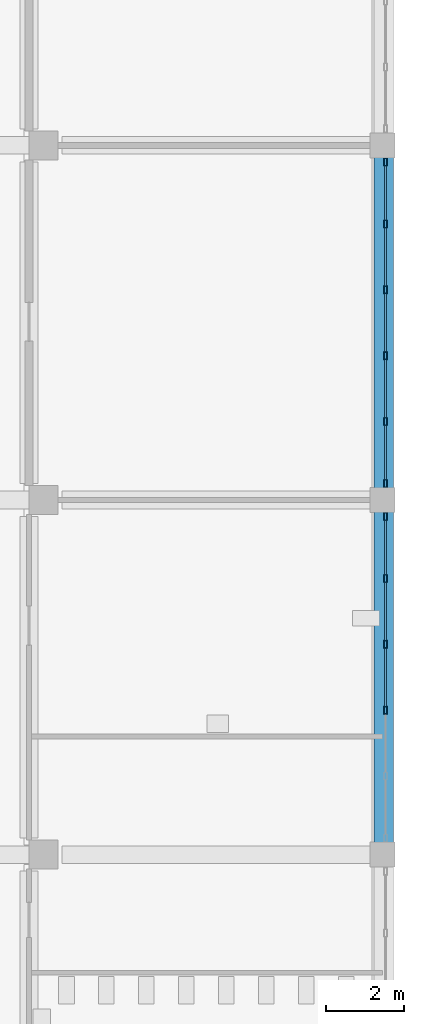
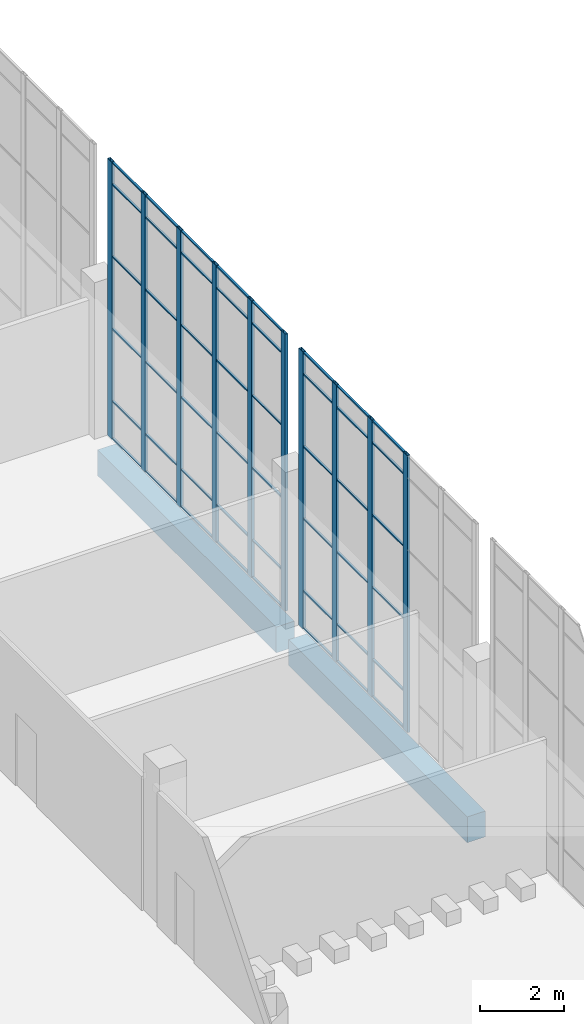
# One storey, part 54 of 126: 58 members, 2 beams, 2 elements without a shape of their own.
"""IFC4 building model written with IfcOpenShell, lengths in metres."""

from ifc_helpers import new_model, si_unit, direction, frame, origin, origin_2d, place, context, subcontext, project, spatial, rectangle, hollow_rectangle, extrude, material, layer, layer_set, material_profile, profile_set, type_object, element, aggregate, save


model = new_model("IFC4")

# Units and contexts
model_context = context("Model", 3, precision=1e-05, world=origin(), true_north=direction((0.0, 1.0)))
body_context = subcontext(model_context, "Body", "Model", "MODEL_VIEW")
ifc_project = project(units=[si_unit("LENGTHUNIT", "METRE"), si_unit("AREAUNIT", "SQUARE_METRE"), si_unit("VOLUMEUNIT", "CUBIC_METRE"), si_unit("PLANEANGLEUNIT", "RADIAN"), si_unit("MASSUNIT", "GRAM", prefix="KILO")], contexts=[model_context])

# Site, building, storey
site_placement = place(None, origin())
site = spatial("IfcSite", under=ifc_project, at=site_placement, CompositionType="ELEMENT")
building_placement = place(site_placement, origin())
building = spatial("IfcBuilding", under=site, at=building_placement, Name="Shirokan Park Arena", CompositionType="ELEMENT")
storey_placement = place(building_placement, frame((0.0, 0.0, 6.3701171875)))
storey = spatial("IfcBuildingStorey", under=building, at=storey_placement, Name="L01", CompositionType="ELEMENT", Elevation=6.3701171875)

# Curtain wall, members
ifc_material_1 = material(Name="Steel and glass curtain wall", Category="steel")
ifc_layer = layer(ifc_material_1, 0.199951171875)
ifc_layer_set = layer_set([ifc_layer], Name="Steel and glass curtain wall 200 mm")
curtain_wall_type = type_object("IfcCurtainWallType", Name="Curtain wall hall bay 200", PredefinedType="NOTDEFINED", material=ifc_layer_set)
curtain_wall_1_placement = place(storey_placement, origin())
curtain_wall_1 = element("IfcCurtainWall", 1, at=curtain_wall_1_placement, inside=storey, type_object=curtain_wall_type, Name="Curtain wall east bay 6 L01", PredefinedType="NOTDEFINED")
ifc_material_2 = material(Name="Steel S355", Category="steel")
ifc_material_profile_1 = material_profile(ifc_material_2, hollow_rectangle(XDim=0.080078125, YDim=0.199951171875, WallThickness=0.008056640625, at=origin_2d()), Name="RHS 200x80x8")
ifc_profile_set_1 = profile_set([ifc_material_profile_1], Name="Steel S355")
member_type_1 = type_object("IfcMemberType", Name="Mullion RHS 200x80x8", PredefinedType="MULLION", material=ifc_profile_set_1)
member_1_placement = place(storey_placement, frame((145.64990234375, 49.205078125, 0.0), z_axis=(0.0, 0.0, 1.0), x_axis=(-1.0, 0.0, 0.0)))
member_1 = element("IfcMember", 2, at=member_1_placement, type_object=member_type_1, Name="CW5 mullion 3", PredefinedType="MULLION", context=body_context, shape_type="SweptSolid", body=[
    extrude(hollow_rectangle(XDim=0.080078125, YDim=0.199951171875, WallThickness=0.008056640625, at=origin_2d()), origin(), (0.0, 0.0, 1.0), 8.0498046875),
])
member_2_placement = place(storey_placement, frame((145.64990234375, 50.89501953125, 0.0), z_axis=(0.0, 0.0, 1.0), x_axis=(-1.0, 0.0, 0.0)))
member_2 = element("IfcMember", 3, at=member_2_placement, type_object=member_type_1, Name="CW5 mullion 4", PredefinedType="MULLION", context=body_context, shape_type="SweptSolid", body=[
    extrude(hollow_rectangle(XDim=0.080078125, YDim=0.199951171875, WallThickness=0.008056640625, at=origin_2d()), origin(), (0.0, 0.0, 1.0), 8.0498046875),
])
member_3_placement = place(storey_placement, frame((145.64990234375, 52.5849609375, 0.0), z_axis=(0.0, 0.0, 1.0), x_axis=(-1.0, 0.0, 0.0)))
member_3 = element("IfcMember", 4, at=member_3_placement, type_object=member_type_1, Name="CW5 mullion 5", PredefinedType="MULLION", context=body_context, shape_type="SweptSolid", body=[
    extrude(hollow_rectangle(XDim=0.080078125, YDim=0.199951171875, WallThickness=0.008056640625, at=origin_2d()), origin(), (0.0, 0.0, 1.0), 8.0498046875),
])
member_4_placement = place(storey_placement, frame((145.64990234375, 54.175048828125, 0.0), z_axis=(0.0, 0.0, 1.0), x_axis=(-1.0, 0.0, 0.0)))
member_4 = element("IfcMember", 5, at=member_4_placement, type_object=member_type_1, Name="CW5 mullion 6", PredefinedType="MULLION", context=body_context, shape_type="SweptSolid", body=[
    extrude(hollow_rectangle(XDim=0.080078125, YDim=0.199951171875, WallThickness=0.008056640625, at=origin_2d()), origin(), (0.0, 0.0, 1.0), 8.0498046875),
])

curtain_wall_2_placement = place(storey_placement, origin())
curtain_wall_2 = element("IfcCurtainWall", 6, at=curtain_wall_2_placement, inside=storey, type_object=curtain_wall_type, Name="Curtain wall east bay 7 L01", PredefinedType="NOTDEFINED")
member_5_placement = place(storey_placement, frame((145.64990234375, 55.02490234375, 0.0), z_axis=(0.0, 0.0, 1.0), x_axis=(-1.0, 0.0, 0.0)))
member_5 = element("IfcMember", 7, at=member_5_placement, type_object=member_type_1, Name="CW5 mullion 1", PredefinedType="MULLION", context=body_context, shape_type="SweptSolid", body=[
    extrude(hollow_rectangle(XDim=0.080078125, YDim=0.199951171875, WallThickness=0.008056640625, at=origin_2d()), origin(), (0.0, 0.0, 1.0), 8.0498046875),
])
member_6_placement = place(storey_placement, frame((145.64990234375, 56.614990234375, 0.0), z_axis=(0.0, 0.0, 1.0), x_axis=(-1.0, 0.0, 0.0)))
member_6 = element("IfcMember", 8, at=member_6_placement, type_object=member_type_1, Name="CW5 mullion 2", PredefinedType="MULLION", context=body_context, shape_type="SweptSolid", body=[
    extrude(hollow_rectangle(XDim=0.080078125, YDim=0.199951171875, WallThickness=0.008056640625, at=origin_2d()), origin(), (0.0, 0.0, 1.0), 8.0498046875),
])
member_7_placement = place(storey_placement, frame((145.64990234375, 58.304931640625, 0.0), z_axis=(0.0, 0.0, 1.0), x_axis=(-1.0, 0.0, 0.0)))
member_7 = element("IfcMember", 9, at=member_7_placement, type_object=member_type_1, Name="CW5 mullion 3", PredefinedType="MULLION", context=body_context, shape_type="SweptSolid", body=[
    extrude(hollow_rectangle(XDim=0.080078125, YDim=0.199951171875, WallThickness=0.008056640625, at=origin_2d()), origin(), (0.0, 0.0, 1.0), 8.0498046875),
])
member_8_placement = place(storey_placement, frame((145.64990234375, 59.9951171875, 0.0), z_axis=(0.0, 0.0, 1.0), x_axis=(-1.0, 0.0, 0.0)))
member_8 = element("IfcMember", 10, at=member_8_placement, type_object=member_type_1, Name="CW5 mullion 4", PredefinedType="MULLION", context=body_context, shape_type="SweptSolid", body=[
    extrude(hollow_rectangle(XDim=0.080078125, YDim=0.199951171875, WallThickness=0.008056640625, at=origin_2d()), origin(), (0.0, 0.0, 1.0), 8.0498046875),
])
member_9_placement = place(storey_placement, frame((145.64990234375, 61.68505859375, 0.0), z_axis=(0.0, 0.0, 1.0), x_axis=(-1.0, 0.0, 0.0)))
member_9 = element("IfcMember", 11, at=member_9_placement, type_object=member_type_1, Name="CW5 mullion 5", PredefinedType="MULLION", context=body_context, shape_type="SweptSolid", body=[
    extrude(hollow_rectangle(XDim=0.080078125, YDim=0.199951171875, WallThickness=0.008056640625, at=origin_2d()), origin(), (0.0, 0.0, 1.0), 8.0498046875),
])
member_10_placement = place(storey_placement, frame((145.64990234375, 63.27490234375, 0.0), z_axis=(0.0, 0.0, 1.0), x_axis=(-1.0, 0.0, 0.0)))
member_10 = element("IfcMember", 12, at=member_10_placement, type_object=member_type_1, Name="CW5 mullion 6", PredefinedType="MULLION", context=body_context, shape_type="SweptSolid", body=[
    extrude(hollow_rectangle(XDim=0.080078125, YDim=0.199951171875, WallThickness=0.008056640625, at=origin_2d()), origin(), (0.0, 0.0, 1.0), 8.0498046875),
])

# Beams
ifc_material_3 = material(Name="Concrete C35", Category="concrete")
ifc_material_profile_2 = material_profile(ifc_material_3, rectangle(XDim=0.5, YDim=0.75, at=origin_2d()), Name="500x750")
ifc_profile_set_2 = profile_set([ifc_material_profile_2], Name="Concrete C35")
beam_type = type_object("IfcBeamType", Name="RC girder 500x750", PredefinedType="BEAM", material=ifc_profile_set_2)
for number, where, z_axis, x_axis, name in (
    (13, (145.60009765625, 45.800048828125, -0.72509765625), (0.0, 1.0, 0.0), (-1.0, 0.0, 0.0), "Girder 17F-17G L01"),
    (14, (145.60009765625, 54.900146484375, -0.72509765625), (0.0, 1.0, 0.0), (-1.0, 0.0, 0.0), "Girder 17G-17H L01"),
):
    element("IfcBeam", number, at=place(storey_placement, frame(where, z_axis=z_axis, x_axis=x_axis)), inside=storey, type_object=beam_type, Name=name, PredefinedType="BEAM", context=body_context, shape_type="SweptSolid", body=[
        extrude(rectangle(XDim=0.5, YDim=0.75, at=origin_2d()), origin(), (0.0, 0.0, 1.0), 8.499755859375),
    ])

# Member
ifc_material_profile_3 = material_profile(ifc_material_2, hollow_rectangle(XDim=0.06005859375, YDim=0.0400390625, WallThickness=0.00390625, at=origin_2d()), Name="RHS 60x40x4")
ifc_profile_set_3 = profile_set([ifc_material_profile_3], Name="Steel S355")
member_type_2 = type_object("IfcMemberType", Name="Transom RHS 60x40x4", PredefinedType="MULLION", material=ifc_profile_set_3)
member_11_placement = place(storey_placement, frame((145.64990234375, 49.304931640625, 0.019775390625), z_axis=(0.0, 1.0, 0.0), x_axis=(-1.0, 0.0, 0.0)))
member_11 = element("IfcMember", 15, at=member_11_placement, type_object=member_type_2, Name="CW5 transom 3.1", PredefinedType="MULLION", context=body_context, shape_type="SweptSolid", body=[
    extrude(hollow_rectangle(XDim=0.06005859375, YDim=0.0400390625, WallThickness=0.00390625, at=origin_2d()), origin(), (0.0, 0.0, 1.0), 1.489990234375),
])

member_12_placement = place(storey_placement, frame((145.64990234375, 49.304931640625, 1.099853515625), z_axis=(0.0, 1.0, 0.0), x_axis=(-1.0, 0.0, 0.0)))
member_12 = element("IfcMember", 16, at=member_12_placement, type_object=member_type_2, Name="CW5 transom 3.2", PredefinedType="MULLION", context=body_context, shape_type="SweptSolid", body=[
    extrude(hollow_rectangle(XDim=0.06005859375, YDim=0.0400390625, WallThickness=0.00390625, at=origin_2d()), origin(), (0.0, 0.0, 1.0), 1.489990234375),
])

member_13_placement = place(storey_placement, frame((145.64990234375, 49.304931640625, 3.199951171875), z_axis=(0.0, 1.0, 0.0), x_axis=(-1.0, 0.0, 0.0)))
member_13 = element("IfcMember", 17, at=member_13_placement, type_object=member_type_2, Name="CW5 transom 3.3", PredefinedType="MULLION", context=body_context, shape_type="SweptSolid", body=[
    extrude(hollow_rectangle(XDim=0.06005859375, YDim=0.0400390625, WallThickness=0.00390625, at=origin_2d()), origin(), (0.0, 0.0, 1.0), 1.489990234375),
])

member_14_placement = place(storey_placement, frame((145.64990234375, 49.304931640625, 5.2998046875), z_axis=(0.0, 1.0, 0.0), x_axis=(-1.0, 0.0, 0.0)))
member_14 = element("IfcMember", 18, at=member_14_placement, type_object=member_type_2, Name="CW5 transom 3.4", PredefinedType="MULLION", context=body_context, shape_type="SweptSolid", body=[
    extrude(hollow_rectangle(XDim=0.06005859375, YDim=0.0400390625, WallThickness=0.00390625, at=origin_2d()), origin(), (0.0, 0.0, 1.0), 1.489990234375),
])

member_15_placement = place(storey_placement, frame((145.64990234375, 49.304931640625, 7.39990234375), z_axis=(0.0, 1.0, 0.0), x_axis=(-1.0, 0.0, 0.0)))
member_15 = element("IfcMember", 19, at=member_15_placement, type_object=member_type_2, Name="CW5 transom 3.5", PredefinedType="MULLION", context=body_context, shape_type="SweptSolid", body=[
    extrude(hollow_rectangle(XDim=0.06005859375, YDim=0.0400390625, WallThickness=0.00390625, at=origin_2d()), origin(), (0.0, 0.0, 1.0), 1.489990234375),
])

member_16_placement = place(storey_placement, frame((145.64990234375, 49.304931640625, 8.02978515625), z_axis=(0.0, 1.0, 0.0), x_axis=(-1.0, 0.0, 0.0)))
member_16 = element("IfcMember", 20, at=member_16_placement, type_object=member_type_2, Name="CW5 transom 3.6", PredefinedType="MULLION", context=body_context, shape_type="SweptSolid", body=[
    extrude(hollow_rectangle(XDim=0.06005859375, YDim=0.0400390625, WallThickness=0.00390625, at=origin_2d()), origin(), (0.0, 0.0, 1.0), 1.489990234375),
])

member_17_placement = place(storey_placement, frame((145.64990234375, 50.9951171875, 0.019775390625), z_axis=(0.0, 1.0, 0.0), x_axis=(-1.0, 0.0, 0.0)))
member_17 = element("IfcMember", 21, at=member_17_placement, type_object=member_type_2, Name="CW5 transom 4.1", PredefinedType="MULLION", context=body_context, shape_type="SweptSolid", body=[
    extrude(hollow_rectangle(XDim=0.06005859375, YDim=0.0400390625, WallThickness=0.00390625, at=origin_2d()), origin(), (0.0, 0.0, 1.0), 1.489990234375),
])

member_18_placement = place(storey_placement, frame((145.64990234375, 50.9951171875, 1.099853515625), z_axis=(0.0, 1.0, 0.0), x_axis=(-1.0, 0.0, 0.0)))
member_18 = element("IfcMember", 22, at=member_18_placement, type_object=member_type_2, Name="CW5 transom 4.2", PredefinedType="MULLION", context=body_context, shape_type="SweptSolid", body=[
    extrude(hollow_rectangle(XDim=0.06005859375, YDim=0.0400390625, WallThickness=0.00390625, at=origin_2d()), origin(), (0.0, 0.0, 1.0), 1.489990234375),
])

member_19_placement = place(storey_placement, frame((145.64990234375, 50.9951171875, 3.199951171875), z_axis=(0.0, 1.0, 0.0), x_axis=(-1.0, 0.0, 0.0)))
member_19 = element("IfcMember", 23, at=member_19_placement, type_object=member_type_2, Name="CW5 transom 4.3", PredefinedType="MULLION", context=body_context, shape_type="SweptSolid", body=[
    extrude(hollow_rectangle(XDim=0.06005859375, YDim=0.0400390625, WallThickness=0.00390625, at=origin_2d()), origin(), (0.0, 0.0, 1.0), 1.489990234375),
])

member_20_placement = place(storey_placement, frame((145.64990234375, 50.9951171875, 5.2998046875), z_axis=(0.0, 1.0, 0.0), x_axis=(-1.0, 0.0, 0.0)))
member_20 = element("IfcMember", 24, at=member_20_placement, type_object=member_type_2, Name="CW5 transom 4.4", PredefinedType="MULLION", context=body_context, shape_type="SweptSolid", body=[
    extrude(hollow_rectangle(XDim=0.06005859375, YDim=0.0400390625, WallThickness=0.00390625, at=origin_2d()), origin(), (0.0, 0.0, 1.0), 1.489990234375),
])

member_21_placement = place(storey_placement, frame((145.64990234375, 50.9951171875, 7.39990234375), z_axis=(0.0, 1.0, 0.0), x_axis=(-1.0, 0.0, 0.0)))
member_21 = element("IfcMember", 25, at=member_21_placement, type_object=member_type_2, Name="CW5 transom 4.5", PredefinedType="MULLION", context=body_context, shape_type="SweptSolid", body=[
    extrude(hollow_rectangle(XDim=0.06005859375, YDim=0.0400390625, WallThickness=0.00390625, at=origin_2d()), origin(), (0.0, 0.0, 1.0), 1.489990234375),
])

member_22_placement = place(storey_placement, frame((145.64990234375, 50.9951171875, 8.02978515625), z_axis=(0.0, 1.0, 0.0), x_axis=(-1.0, 0.0, 0.0)))
member_22 = element("IfcMember", 26, at=member_22_placement, type_object=member_type_2, Name="CW5 transom 4.6", PredefinedType="MULLION", context=body_context, shape_type="SweptSolid", body=[
    extrude(hollow_rectangle(XDim=0.06005859375, YDim=0.0400390625, WallThickness=0.00390625, at=origin_2d()), origin(), (0.0, 0.0, 1.0), 1.489990234375),
])

member_23_placement = place(storey_placement, frame((145.64990234375, 52.68505859375, 0.019775390625), z_axis=(0.0, 1.0, 0.0), x_axis=(-1.0, 0.0, 0.0)))
member_23 = element("IfcMember", 27, at=member_23_placement, type_object=member_type_2, Name="CW5 transom 5.1", PredefinedType="MULLION", context=body_context, shape_type="SweptSolid", body=[
    extrude(hollow_rectangle(XDim=0.06005859375, YDim=0.0400390625, WallThickness=0.00390625, at=origin_2d()), origin(), (0.0, 0.0, 1.0), 1.389892578125),
])

member_24_placement = place(storey_placement, frame((145.64990234375, 52.68505859375, 1.099853515625), z_axis=(0.0, 1.0, 0.0), x_axis=(-1.0, 0.0, 0.0)))
member_24 = element("IfcMember", 28, at=member_24_placement, type_object=member_type_2, Name="CW5 transom 5.2", PredefinedType="MULLION", context=body_context, shape_type="SweptSolid", body=[
    extrude(hollow_rectangle(XDim=0.06005859375, YDim=0.0400390625, WallThickness=0.00390625, at=origin_2d()), origin(), (0.0, 0.0, 1.0), 1.389892578125),
])

member_25_placement = place(storey_placement, frame((145.64990234375, 52.68505859375, 3.199951171875), z_axis=(0.0, 1.0, 0.0), x_axis=(-1.0, 0.0, 0.0)))
member_25 = element("IfcMember", 29, at=member_25_placement, type_object=member_type_2, Name="CW5 transom 5.3", PredefinedType="MULLION", context=body_context, shape_type="SweptSolid", body=[
    extrude(hollow_rectangle(XDim=0.06005859375, YDim=0.0400390625, WallThickness=0.00390625, at=origin_2d()), origin(), (0.0, 0.0, 1.0), 1.389892578125),
])

member_26_placement = place(storey_placement, frame((145.64990234375, 52.68505859375, 5.2998046875), z_axis=(0.0, 1.0, 0.0), x_axis=(-1.0, 0.0, 0.0)))
member_26 = element("IfcMember", 30, at=member_26_placement, type_object=member_type_2, Name="CW5 transom 5.4", PredefinedType="MULLION", context=body_context, shape_type="SweptSolid", body=[
    extrude(hollow_rectangle(XDim=0.06005859375, YDim=0.0400390625, WallThickness=0.00390625, at=origin_2d()), origin(), (0.0, 0.0, 1.0), 1.389892578125),
])

member_27_placement = place(storey_placement, frame((145.64990234375, 52.68505859375, 7.39990234375), z_axis=(0.0, 1.0, 0.0), x_axis=(-1.0, 0.0, 0.0)))
member_27 = element("IfcMember", 31, at=member_27_placement, type_object=member_type_2, Name="CW5 transom 5.5", PredefinedType="MULLION", context=body_context, shape_type="SweptSolid", body=[
    extrude(hollow_rectangle(XDim=0.06005859375, YDim=0.0400390625, WallThickness=0.00390625, at=origin_2d()), origin(), (0.0, 0.0, 1.0), 1.389892578125),
])

member_28_placement = place(storey_placement, frame((145.64990234375, 52.68505859375, 8.02978515625), z_axis=(0.0, 1.0, 0.0), x_axis=(-1.0, 0.0, 0.0)))
member_28 = element("IfcMember", 32, at=member_28_placement, type_object=member_type_2, Name="CW5 transom 5.6", PredefinedType="MULLION", context=body_context, shape_type="SweptSolid", body=[
    extrude(hollow_rectangle(XDim=0.06005859375, YDim=0.0400390625, WallThickness=0.00390625, at=origin_2d()), origin(), (0.0, 0.0, 1.0), 1.389892578125),
])

aggregate(curtain_wall_1, [member_1, member_2, member_3, member_4, member_11, member_12, member_13, member_14, member_15, member_16, member_17, member_18, member_19, member_20, member_21, member_22, member_23, member_24, member_25, member_26, member_27, member_28])

member_29_placement = place(storey_placement, frame((145.64990234375, 55.125, 0.019775390625), z_axis=(0.0, 1.0, 0.0), x_axis=(-1.0, 0.0, 0.0)))
member_29 = element("IfcMember", 33, at=member_29_placement, type_object=member_type_2, Name="CW5 transom 1.1", PredefinedType="MULLION", context=body_context, shape_type="SweptSolid", body=[
    extrude(hollow_rectangle(XDim=0.06005859375, YDim=0.0400390625, WallThickness=0.00390625, at=origin_2d()), origin(), (0.0, 0.0, 1.0), 1.389892578125),
])

member_30_placement = place(storey_placement, frame((145.64990234375, 55.125, 1.099853515625), z_axis=(0.0, 1.0, 0.0), x_axis=(-1.0, 0.0, 0.0)))
member_30 = element("IfcMember", 34, at=member_30_placement, type_object=member_type_2, Name="CW5 transom 1.2", PredefinedType="MULLION", context=body_context, shape_type="SweptSolid", body=[
    extrude(hollow_rectangle(XDim=0.06005859375, YDim=0.0400390625, WallThickness=0.00390625, at=origin_2d()), origin(), (0.0, 0.0, 1.0), 1.389892578125),
])

member_31_placement = place(storey_placement, frame((145.64990234375, 55.125, 3.199951171875), z_axis=(0.0, 1.0, 0.0), x_axis=(-1.0, 0.0, 0.0)))
member_31 = element("IfcMember", 35, at=member_31_placement, type_object=member_type_2, Name="CW5 transom 1.3", PredefinedType="MULLION", context=body_context, shape_type="SweptSolid", body=[
    extrude(hollow_rectangle(XDim=0.06005859375, YDim=0.0400390625, WallThickness=0.00390625, at=origin_2d()), origin(), (0.0, 0.0, 1.0), 1.389892578125),
])

member_32_placement = place(storey_placement, frame((145.64990234375, 55.125, 5.2998046875), z_axis=(0.0, 1.0, 0.0), x_axis=(-1.0, 0.0, 0.0)))
member_32 = element("IfcMember", 36, at=member_32_placement, type_object=member_type_2, Name="CW5 transom 1.4", PredefinedType="MULLION", context=body_context, shape_type="SweptSolid", body=[
    extrude(hollow_rectangle(XDim=0.06005859375, YDim=0.0400390625, WallThickness=0.00390625, at=origin_2d()), origin(), (0.0, 0.0, 1.0), 1.389892578125),
])

member_33_placement = place(storey_placement, frame((145.64990234375, 55.125, 7.39990234375), z_axis=(0.0, 1.0, 0.0), x_axis=(-1.0, 0.0, 0.0)))
member_33 = element("IfcMember", 37, at=member_33_placement, type_object=member_type_2, Name="CW5 transom 1.5", PredefinedType="MULLION", context=body_context, shape_type="SweptSolid", body=[
    extrude(hollow_rectangle(XDim=0.06005859375, YDim=0.0400390625, WallThickness=0.00390625, at=origin_2d()), origin(), (0.0, 0.0, 1.0), 1.389892578125),
])

member_34_placement = place(storey_placement, frame((145.64990234375, 55.125, 8.02978515625), z_axis=(0.0, 1.0, 0.0), x_axis=(-1.0, 0.0, 0.0)))
member_34 = element("IfcMember", 38, at=member_34_placement, type_object=member_type_2, Name="CW5 transom 1.6", PredefinedType="MULLION", context=body_context, shape_type="SweptSolid", body=[
    extrude(hollow_rectangle(XDim=0.06005859375, YDim=0.0400390625, WallThickness=0.00390625, at=origin_2d()), origin(), (0.0, 0.0, 1.0), 1.389892578125),
])

member_35_placement = place(storey_placement, frame((145.64990234375, 56.715087890625, 0.019775390625), z_axis=(0.0, 1.0, 0.0), x_axis=(-1.0, 0.0, 0.0)))
member_35 = element("IfcMember", 39, at=member_35_placement, type_object=member_type_2, Name="CW5 transom 2.1", PredefinedType="MULLION", context=body_context, shape_type="SweptSolid", body=[
    extrude(hollow_rectangle(XDim=0.06005859375, YDim=0.0400390625, WallThickness=0.00390625, at=origin_2d()), origin(), (0.0, 0.0, 1.0), 1.489990234375),
])

member_36_placement = place(storey_placement, frame((145.64990234375, 56.715087890625, 1.099853515625), z_axis=(0.0, 1.0, 0.0), x_axis=(-1.0, 0.0, 0.0)))
member_36 = element("IfcMember", 40, at=member_36_placement, type_object=member_type_2, Name="CW5 transom 2.2", PredefinedType="MULLION", context=body_context, shape_type="SweptSolid", body=[
    extrude(hollow_rectangle(XDim=0.06005859375, YDim=0.0400390625, WallThickness=0.00390625, at=origin_2d()), origin(), (0.0, 0.0, 1.0), 1.489990234375),
])

member_37_placement = place(storey_placement, frame((145.64990234375, 56.715087890625, 3.199951171875), z_axis=(0.0, 1.0, 0.0), x_axis=(-1.0, 0.0, 0.0)))
member_37 = element("IfcMember", 41, at=member_37_placement, type_object=member_type_2, Name="CW5 transom 2.3", PredefinedType="MULLION", context=body_context, shape_type="SweptSolid", body=[
    extrude(hollow_rectangle(XDim=0.06005859375, YDim=0.0400390625, WallThickness=0.00390625, at=origin_2d()), origin(), (0.0, 0.0, 1.0), 1.489990234375),
])

member_38_placement = place(storey_placement, frame((145.64990234375, 56.715087890625, 5.2998046875), z_axis=(0.0, 1.0, 0.0), x_axis=(-1.0, 0.0, 0.0)))
member_38 = element("IfcMember", 42, at=member_38_placement, type_object=member_type_2, Name="CW5 transom 2.4", PredefinedType="MULLION", context=body_context, shape_type="SweptSolid", body=[
    extrude(hollow_rectangle(XDim=0.06005859375, YDim=0.0400390625, WallThickness=0.00390625, at=origin_2d()), origin(), (0.0, 0.0, 1.0), 1.489990234375),
])

member_39_placement = place(storey_placement, frame((145.64990234375, 56.715087890625, 7.39990234375), z_axis=(0.0, 1.0, 0.0), x_axis=(-1.0, 0.0, 0.0)))
member_39 = element("IfcMember", 43, at=member_39_placement, type_object=member_type_2, Name="CW5 transom 2.5", PredefinedType="MULLION", context=body_context, shape_type="SweptSolid", body=[
    extrude(hollow_rectangle(XDim=0.06005859375, YDim=0.0400390625, WallThickness=0.00390625, at=origin_2d()), origin(), (0.0, 0.0, 1.0), 1.489990234375),
])

member_40_placement = place(storey_placement, frame((145.64990234375, 56.715087890625, 8.02978515625), z_axis=(0.0, 1.0, 0.0), x_axis=(-1.0, 0.0, 0.0)))
member_40 = element("IfcMember", 44, at=member_40_placement, type_object=member_type_2, Name="CW5 transom 2.6", PredefinedType="MULLION", context=body_context, shape_type="SweptSolid", body=[
    extrude(hollow_rectangle(XDim=0.06005859375, YDim=0.0400390625, WallThickness=0.00390625, at=origin_2d()), origin(), (0.0, 0.0, 1.0), 1.489990234375),
])

member_41_placement = place(storey_placement, frame((145.64990234375, 58.405029296875, 0.019775390625), z_axis=(0.0, 1.0, 0.0), x_axis=(-1.0, 0.0, 0.0)))
member_41 = element("IfcMember", 45, at=member_41_placement, type_object=member_type_2, Name="CW5 transom 3.1", PredefinedType="MULLION", context=body_context, shape_type="SweptSolid", body=[
    extrude(hollow_rectangle(XDim=0.06005859375, YDim=0.0400390625, WallThickness=0.00390625, at=origin_2d()), origin(), (0.0, 0.0, 1.0), 1.489990234375),
])

member_42_placement = place(storey_placement, frame((145.64990234375, 58.405029296875, 1.099853515625), z_axis=(0.0, 1.0, 0.0), x_axis=(-1.0, 0.0, 0.0)))
member_42 = element("IfcMember", 46, at=member_42_placement, type_object=member_type_2, Name="CW5 transom 3.2", PredefinedType="MULLION", context=body_context, shape_type="SweptSolid", body=[
    extrude(hollow_rectangle(XDim=0.06005859375, YDim=0.0400390625, WallThickness=0.00390625, at=origin_2d()), origin(), (0.0, 0.0, 1.0), 1.489990234375),
])

member_43_placement = place(storey_placement, frame((145.64990234375, 58.405029296875, 3.199951171875), z_axis=(0.0, 1.0, 0.0), x_axis=(-1.0, 0.0, 0.0)))
member_43 = element("IfcMember", 47, at=member_43_placement, type_object=member_type_2, Name="CW5 transom 3.3", PredefinedType="MULLION", context=body_context, shape_type="SweptSolid", body=[
    extrude(hollow_rectangle(XDim=0.06005859375, YDim=0.0400390625, WallThickness=0.00390625, at=origin_2d()), origin(), (0.0, 0.0, 1.0), 1.489990234375),
])

member_44_placement = place(storey_placement, frame((145.64990234375, 58.405029296875, 5.2998046875), z_axis=(0.0, 1.0, 0.0), x_axis=(-1.0, 0.0, 0.0)))
member_44 = element("IfcMember", 48, at=member_44_placement, type_object=member_type_2, Name="CW5 transom 3.4", PredefinedType="MULLION", context=body_context, shape_type="SweptSolid", body=[
    extrude(hollow_rectangle(XDim=0.06005859375, YDim=0.0400390625, WallThickness=0.00390625, at=origin_2d()), origin(), (0.0, 0.0, 1.0), 1.489990234375),
])

member_45_placement = place(storey_placement, frame((145.64990234375, 58.405029296875, 7.39990234375), z_axis=(0.0, 1.0, 0.0), x_axis=(-1.0, 0.0, 0.0)))
member_45 = element("IfcMember", 49, at=member_45_placement, type_object=member_type_2, Name="CW5 transom 3.5", PredefinedType="MULLION", context=body_context, shape_type="SweptSolid", body=[
    extrude(hollow_rectangle(XDim=0.06005859375, YDim=0.0400390625, WallThickness=0.00390625, at=origin_2d()), origin(), (0.0, 0.0, 1.0), 1.489990234375),
])

member_46_placement = place(storey_placement, frame((145.64990234375, 58.405029296875, 8.02978515625), z_axis=(0.0, 1.0, 0.0), x_axis=(-1.0, 0.0, 0.0)))
member_46 = element("IfcMember", 50, at=member_46_placement, type_object=member_type_2, Name="CW5 transom 3.6", PredefinedType="MULLION", context=body_context, shape_type="SweptSolid", body=[
    extrude(hollow_rectangle(XDim=0.06005859375, YDim=0.0400390625, WallThickness=0.00390625, at=origin_2d()), origin(), (0.0, 0.0, 1.0), 1.489990234375),
])

member_47_placement = place(storey_placement, frame((145.64990234375, 60.094970703125, 0.019775390625), z_axis=(0.0, 1.0, 0.0), x_axis=(-1.0, 0.0, 0.0)))
member_47 = element("IfcMember", 51, at=member_47_placement, type_object=member_type_2, Name="CW5 transom 4.1", PredefinedType="MULLION", context=body_context, shape_type="SweptSolid", body=[
    extrude(hollow_rectangle(XDim=0.06005859375, YDim=0.0400390625, WallThickness=0.00390625, at=origin_2d()), origin(), (0.0, 0.0, 1.0), 1.489990234375),
])

member_48_placement = place(storey_placement, frame((145.64990234375, 60.094970703125, 1.099853515625), z_axis=(0.0, 1.0, 0.0), x_axis=(-1.0, 0.0, 0.0)))
member_48 = element("IfcMember", 52, at=member_48_placement, type_object=member_type_2, Name="CW5 transom 4.2", PredefinedType="MULLION", context=body_context, shape_type="SweptSolid", body=[
    extrude(hollow_rectangle(XDim=0.06005859375, YDim=0.0400390625, WallThickness=0.00390625, at=origin_2d()), origin(), (0.0, 0.0, 1.0), 1.489990234375),
])

member_49_placement = place(storey_placement, frame((145.64990234375, 60.094970703125, 3.199951171875), z_axis=(0.0, 1.0, 0.0), x_axis=(-1.0, 0.0, 0.0)))
member_49 = element("IfcMember", 53, at=member_49_placement, type_object=member_type_2, Name="CW5 transom 4.3", PredefinedType="MULLION", context=body_context, shape_type="SweptSolid", body=[
    extrude(hollow_rectangle(XDim=0.06005859375, YDim=0.0400390625, WallThickness=0.00390625, at=origin_2d()), origin(), (0.0, 0.0, 1.0), 1.489990234375),
])

member_50_placement = place(storey_placement, frame((145.64990234375, 60.094970703125, 5.2998046875), z_axis=(0.0, 1.0, 0.0), x_axis=(-1.0, 0.0, 0.0)))
member_50 = element("IfcMember", 54, at=member_50_placement, type_object=member_type_2, Name="CW5 transom 4.4", PredefinedType="MULLION", context=body_context, shape_type="SweptSolid", body=[
    extrude(hollow_rectangle(XDim=0.06005859375, YDim=0.0400390625, WallThickness=0.00390625, at=origin_2d()), origin(), (0.0, 0.0, 1.0), 1.489990234375),
])

member_51_placement = place(storey_placement, frame((145.64990234375, 60.094970703125, 7.39990234375), z_axis=(0.0, 1.0, 0.0), x_axis=(-1.0, 0.0, 0.0)))
member_51 = element("IfcMember", 55, at=member_51_placement, type_object=member_type_2, Name="CW5 transom 4.5", PredefinedType="MULLION", context=body_context, shape_type="SweptSolid", body=[
    extrude(hollow_rectangle(XDim=0.06005859375, YDim=0.0400390625, WallThickness=0.00390625, at=origin_2d()), origin(), (0.0, 0.0, 1.0), 1.489990234375),
])

member_52_placement = place(storey_placement, frame((145.64990234375, 60.094970703125, 8.02978515625), z_axis=(0.0, 1.0, 0.0), x_axis=(-1.0, 0.0, 0.0)))
member_52 = element("IfcMember", 56, at=member_52_placement, type_object=member_type_2, Name="CW5 transom 4.6", PredefinedType="MULLION", context=body_context, shape_type="SweptSolid", body=[
    extrude(hollow_rectangle(XDim=0.06005859375, YDim=0.0400390625, WallThickness=0.00390625, at=origin_2d()), origin(), (0.0, 0.0, 1.0), 1.489990234375),
])

member_53_placement = place(storey_placement, frame((145.64990234375, 61.784912109375, 0.019775390625), z_axis=(0.0, 1.0, 0.0), x_axis=(-1.0, 0.0, 0.0)))
member_53 = element("IfcMember", 57, at=member_53_placement, type_object=member_type_2, Name="CW5 transom 5.1", PredefinedType="MULLION", context=body_context, shape_type="SweptSolid", body=[
    extrude(hollow_rectangle(XDim=0.06005859375, YDim=0.0400390625, WallThickness=0.00390625, at=origin_2d()), origin(), (0.0, 0.0, 1.0), 1.39013671875),
])

member_54_placement = place(storey_placement, frame((145.64990234375, 61.784912109375, 1.099853515625), z_axis=(0.0, 1.0, 0.0), x_axis=(-1.0, 0.0, 0.0)))
member_54 = element("IfcMember", 58, at=member_54_placement, type_object=member_type_2, Name="CW5 transom 5.2", PredefinedType="MULLION", context=body_context, shape_type="SweptSolid", body=[
    extrude(hollow_rectangle(XDim=0.06005859375, YDim=0.0400390625, WallThickness=0.00390625, at=origin_2d()), origin(), (0.0, 0.0, 1.0), 1.39013671875),
])

member_55_placement = place(storey_placement, frame((145.64990234375, 61.784912109375, 3.199951171875), z_axis=(0.0, 1.0, 0.0), x_axis=(-1.0, 0.0, 0.0)))
member_55 = element("IfcMember", 59, at=member_55_placement, type_object=member_type_2, Name="CW5 transom 5.3", PredefinedType="MULLION", context=body_context, shape_type="SweptSolid", body=[
    extrude(hollow_rectangle(XDim=0.06005859375, YDim=0.0400390625, WallThickness=0.00390625, at=origin_2d()), origin(), (0.0, 0.0, 1.0), 1.39013671875),
])

member_56_placement = place(storey_placement, frame((145.64990234375, 61.784912109375, 5.2998046875), z_axis=(0.0, 1.0, 0.0), x_axis=(-1.0, 0.0, 0.0)))
member_56 = element("IfcMember", 60, at=member_56_placement, type_object=member_type_2, Name="CW5 transom 5.4", PredefinedType="MULLION", context=body_context, shape_type="SweptSolid", body=[
    extrude(hollow_rectangle(XDim=0.06005859375, YDim=0.0400390625, WallThickness=0.00390625, at=origin_2d()), origin(), (0.0, 0.0, 1.0), 1.39013671875),
])

member_57_placement = place(storey_placement, frame((145.64990234375, 61.784912109375, 7.39990234375), z_axis=(0.0, 1.0, 0.0), x_axis=(-1.0, 0.0, 0.0)))
member_57 = element("IfcMember", 61, at=member_57_placement, type_object=member_type_2, Name="CW5 transom 5.5", PredefinedType="MULLION", context=body_context, shape_type="SweptSolid", body=[
    extrude(hollow_rectangle(XDim=0.06005859375, YDim=0.0400390625, WallThickness=0.00390625, at=origin_2d()), origin(), (0.0, 0.0, 1.0), 1.39013671875),
])

member_58_placement = place(storey_placement, frame((145.64990234375, 61.784912109375, 8.02978515625), z_axis=(0.0, 1.0, 0.0), x_axis=(-1.0, 0.0, 0.0)))
member_58 = element("IfcMember", 62, at=member_58_placement, type_object=member_type_2, Name="CW5 transom 5.6", PredefinedType="MULLION", context=body_context, shape_type="SweptSolid", body=[
    extrude(hollow_rectangle(XDim=0.06005859375, YDim=0.0400390625, WallThickness=0.00390625, at=origin_2d()), origin(), (0.0, 0.0, 1.0), 1.39013671875),
])

aggregate(curtain_wall_2, [member_5, member_6, member_7, member_8, member_9, member_10, member_29, member_30, member_31, member_32, member_33, member_34, member_35, member_36, member_37, member_38, member_39, member_40, member_41, member_42, member_43, member_44, member_45, member_46, member_47, member_48, member_49, member_50, member_51, member_52, member_53, member_54, member_55, member_56, member_57, member_58])

save(model, "model.ifc")
